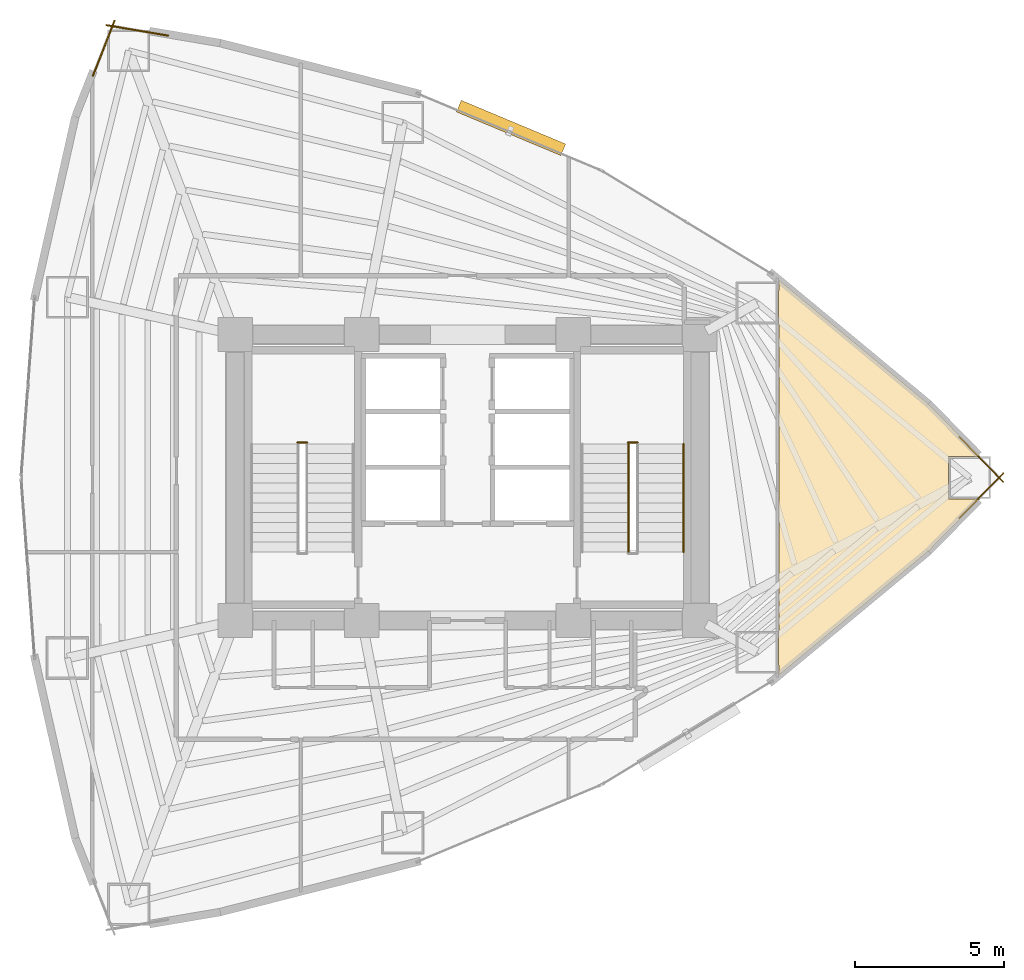
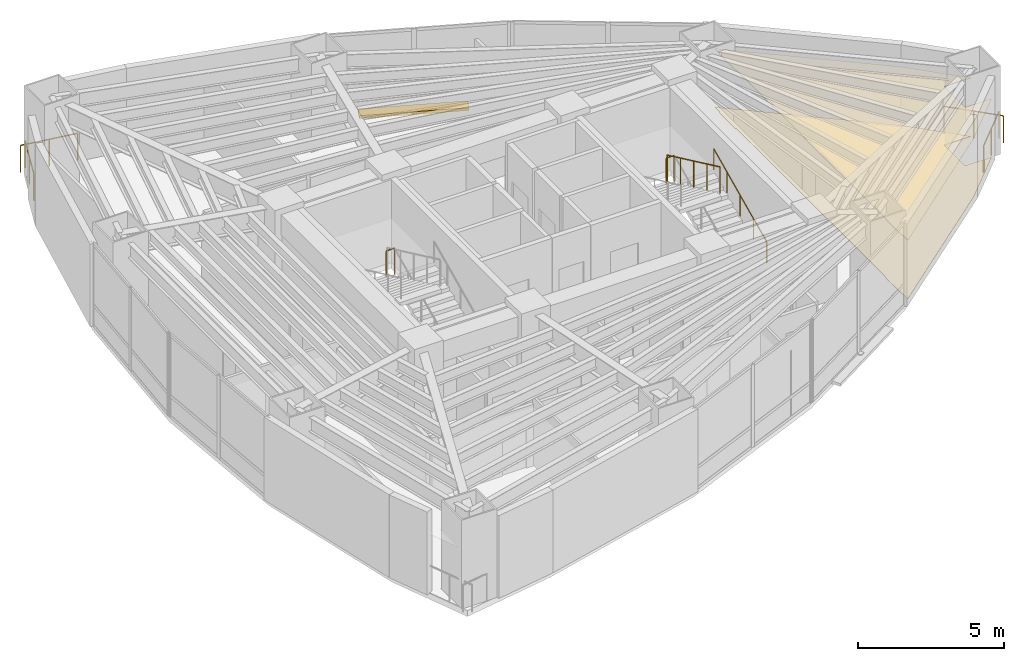
# One storey, part 17 of 17: 8 railings, 2 coverings, 1 shading device.
"""IFC4 building model written with IfcOpenShell, lengths in metres."""

from ifc_helpers import new_model, si_unit, direction, frame, origin, origin_2d, place, context, subcontext, project, spatial, polyline, rectangle, circle, outline, extrude, material, layer, layer_set, type_object, element, save


model = new_model("IFC4")

# Units and contexts
model_context = context("Model", 3, precision=1e-05, world=origin(), true_north=direction((0.0, 1.0)))
body_context = subcontext(model_context, "Body", "Model", "MODEL_VIEW")
ifc_project = project(units=[si_unit("LENGTHUNIT", "METRE"), si_unit("AREAUNIT", "SQUARE_METRE"), si_unit("VOLUMEUNIT", "CUBIC_METRE"), si_unit("PLANEANGLEUNIT", "RADIAN"), si_unit("MASSUNIT", "GRAM", prefix="KILO")], contexts=[model_context])

# Site, building, storey
site_placement = place(None, origin())
site = spatial("IfcSite", under=ifc_project, at=site_placement, CompositionType="ELEMENT")
building_placement = place(site_placement, origin())
building = spatial("IfcBuilding", under=site, at=building_placement, Name="Menara Vayukalpa", CompositionType="ELEMENT")
storey_placement = place(building_placement, frame((0.0, 0.0, 49.919921875)))
storey = spatial("IfcBuildingStorey", under=building, at=storey_placement, Name="L11", CompositionType="ELEMENT", Elevation=49.919921875)

# Coverings
ifc_material_1 = material(Name="Mineral Fibre Acoustic Ceiling Tile", Category="masonry")
ifc_layer_1 = layer(ifc_material_1, 0.02490234375)
ifc_layer_set_1 = layer_set([ifc_layer_1], Name="Mineral Fibre Acoustic Ceiling Tile")
covering_type_1 = type_object("IfcCoveringType", Name="COV-CLG1", PredefinedType="CEILING", material=ifc_layer_set_1)
covering_1_placement = place(storey_placement, frame((0.0, 0.0, 2.4501953125)))
element("IfcCovering", 1, at=covering_1_placement, inside=storey, type_object=covering_type_1, Name="L11 Corporate Training Classroom Acoustic Ceiling", PredefinedType="CEILING", context=body_context, shape_type="SweptSolid", body=[
    extrude(outline(polyline([(36.06005859375, 27.14990234375), (36.032958984375, 27.14990234375), (36.032958984375, 28.30078125), (36.06005859375, 28.2783203125), (36.06005859375, 28.60791015625), (36.06005859375, 28.60888671875), (36.060302734375, 28.60986328125), (36.060302734375, 28.610595703125), (36.060791015625, 28.611572265625), (36.061279296875, 28.612548828125), (36.061767578125, 28.61328125), (36.062255859375, 28.6142578125), (36.06298828125, 28.614990234375), (36.063720703125, 28.615478515625), (36.064453125, 28.6162109375), (36.065185546875, 28.61669921875), (36.066162109375, 28.616943359375), (36.067138671875, 28.617431640625), (36.068115234375, 28.61767578125), (36.069091796875, 28.617919921875), (36.070068359375, 28.617919921875), (36.071044921875, 28.61767578125), (36.072021484375, 28.61767578125), (36.072998046875, 28.617431640625), (36.073974609375, 28.616943359375), (36.07470703125, 28.61669921875), (36.07568359375, 28.6162109375), (36.076416015625, 28.615478515625), (41.07763671875, 24.468017578125), (41.078369140625, 24.46728515625), (42.798828125, 22.715087890625), (41.749755859375, 22.715087890625), (41.749755859375, 21.284912109375), (42.798828125, 21.284912109375), (41.078369140625, 19.53271484375), (41.07763671875, 19.531982421875), (36.076416015625, 15.384521484375), (36.07568359375, 15.3837890625), (36.07470703125, 15.38330078125), (36.073974609375, 15.383056640625), (36.072998046875, 15.382568359375), (36.072021484375, 15.38232421875), (36.071044921875, 15.38232421875), (36.070068359375, 15.382080078125), (36.069091796875, 15.382080078125), (36.068115234375, 15.38232421875), (36.067138671875, 15.382568359375), (36.066162109375, 15.383056640625), (36.065185546875, 15.38330078125), (36.064453125, 15.3837890625), (36.063720703125, 15.384521484375), (36.06298828125, 15.385009765625), (36.062255859375, 15.3857421875), (36.061767578125, 15.38671875), (36.061279296875, 15.387451171875), (36.060791015625, 15.388427734375), (36.060302734375, 15.389404296875), (36.060302734375, 15.39013671875), (36.06005859375, 15.39111328125), (36.06005859375, 15.39208984375), (36.06005859375, 15.7216796875), (36.032958984375, 15.69921875), (36.032958984375, 16.85009765625), (36.06005859375, 16.85009765625), (36.06005859375, 27.14990234375)])), origin(), (0.0, 0.0, 1.0), 0.02490234375),
])
ifc_material_2 = material(Name="Porcelain Stoneware Floor Tile", Category="masonry")
ifc_layer_2 = layer(ifc_material_2, 0.02001953125)
ifc_layer_set_2 = layer_set([ifc_layer_2], Name="Porcelain Stoneware Floor Tile")
covering_type_2 = type_object("IfcCoveringType", Name="COV-FLR1", PredefinedType="FLOORING", material=ifc_layer_set_2)
covering_2_placement = place(storey_placement, origin())
element("IfcCovering", 2, at=covering_2_placement, inside=storey, type_object=covering_type_2, Name="L11 Corporate Training Classroom Porcelain Flooring", PredefinedType="FLOORING", context=body_context, shape_type="SweptSolid", body=[
    extrude(outline(polyline([(36.06005859375, 27.14990234375), (36.032958984375, 27.14990234375), (36.032958984375, 28.30078125), (36.06005859375, 28.2783203125), (36.06005859375, 28.60791015625), (36.06005859375, 28.60888671875), (36.060302734375, 28.60986328125), (36.060302734375, 28.610595703125), (36.060791015625, 28.611572265625), (36.061279296875, 28.612548828125), (36.061767578125, 28.61328125), (36.062255859375, 28.6142578125), (36.06298828125, 28.614990234375), (36.063720703125, 28.615478515625), (36.064453125, 28.6162109375), (36.065185546875, 28.61669921875), (36.066162109375, 28.616943359375), (36.067138671875, 28.617431640625), (36.068115234375, 28.61767578125), (36.069091796875, 28.617919921875), (36.070068359375, 28.617919921875), (36.071044921875, 28.61767578125), (36.072021484375, 28.61767578125), (36.072998046875, 28.617431640625), (36.073974609375, 28.616943359375), (36.07470703125, 28.61669921875), (36.07568359375, 28.6162109375), (36.076416015625, 28.615478515625), (41.07763671875, 24.468017578125), (41.078369140625, 24.46728515625), (42.798828125, 22.715087890625), (41.749755859375, 22.715087890625), (41.749755859375, 21.284912109375), (42.798828125, 21.284912109375), (41.078369140625, 19.53271484375), (41.07763671875, 19.531982421875), (36.076416015625, 15.384521484375), (36.07568359375, 15.3837890625), (36.07470703125, 15.38330078125), (36.073974609375, 15.383056640625), (36.072998046875, 15.382568359375), (36.072021484375, 15.38232421875), (36.071044921875, 15.38232421875), (36.070068359375, 15.382080078125), (36.069091796875, 15.382080078125), (36.068115234375, 15.38232421875), (36.067138671875, 15.382568359375), (36.066162109375, 15.383056640625), (36.065185546875, 15.38330078125), (36.064453125, 15.3837890625), (36.063720703125, 15.384521484375), (36.06298828125, 15.385009765625), (36.062255859375, 15.3857421875), (36.061767578125, 15.38671875), (36.061279296875, 15.387451171875), (36.060791015625, 15.388427734375), (36.060302734375, 15.389404296875), (36.060302734375, 15.39013671875), (36.06005859375, 15.39111328125), (36.06005859375, 15.39208984375), (36.06005859375, 15.7216796875), (36.032958984375, 15.69921875), (36.032958984375, 16.85009765625), (36.06005859375, 16.85009765625), (36.06005859375, 27.14990234375)])), origin(), (0.0, 0.0, 1.0), 0.02001953125),
])

# Railings
ifc_material_3 = material(Name="Laminated Glass and Stainless Steel 316 Guardrail", Category="steel")
railing_type_1 = type_object("IfcRailingType", Name="RLG-EXT115", PredefinedType="GUARDRAIL", material=ifc_material_3)
railing_1_placement = place(storey_placement, frame((42.10888671875, 20.6396484375, 0.0)))
element("IfcRailing", 3, at=railing_1_placement, inside=storey, type_object=railing_type_1, Name="L11 Column Corner Spandrel Guardrail 01-1", PredefinedType="GUARDRAIL", context=body_context, shape_type="SweptSolid", body=[
    extrude(circle(Radius=0.02392578125, at=origin_2d()), frame((0.0, 0.0, 1.1259765625), z_axis=(0.700673401428, 0.713482154319, 0.0), x_axis=(-0.713482154319, 0.700673401428, 0.0)), (0.0, 0.0, 1.0), 2.11572265625),
    extrude(circle(Radius=0.02099609375, at=origin_2d()), origin(), (0.0, 0.0, 1.0), 1.101806640625),
    extrude(circle(Radius=0.02099609375, at=origin_2d()), frame((0.7412109375, 0.7548828125, 0.0)), (0.0, 0.0, 1.0), 1.101806640625),
    extrude(circle(Radius=0.02099609375, at=origin_2d()), frame((1.482421875, 1.509521484375, 0.0)), (0.0, 0.0, 1.0), 1.101806640625),
])
railing_2_placement = place(storey_placement, frame((43.59130859375, 21.850830078125, 0.0)))
element("IfcRailing", 4, at=railing_2_placement, inside=storey, type_object=railing_type_1, Name="L11 Column Corner Spandrel Guardrail 02-1", PredefinedType="GUARDRAIL", context=body_context, shape_type="SweptSolid", body=[
    extrude(circle(Radius=0.02392578125, at=origin_2d()), frame((0.0, 0.0, 1.1259765625), z_axis=(-0.700673401428, 0.713482154319, 0.0), x_axis=(-0.713482154319, -0.700673401428, 0.0)), (0.0, 0.0, 1.0), 2.11572265625),
    extrude(circle(Radius=0.02099609375, at=origin_2d()), origin(), (0.0, 0.0, 1.0), 1.101806640625),
    extrude(circle(Radius=0.02099609375, at=origin_2d()), frame((-0.7412109375, 0.7548828125, 0.0)), (0.0, 0.0, 1.0), 1.101806640625),
    extrude(circle(Radius=0.02099609375, at=origin_2d()), frame((-1.482421875, 1.509521484375, 0.0)), (0.0, 0.0, 1.0), 1.101806640625),
])
railing_3_placement = place(storey_placement, frame((15.541015625, 36.840087890625, 0.0)))
element("IfcRailing", 5, at=railing_3_placement, inside=storey, type_object=railing_type_1, Name="L11 Column Corner Spandrel Guardrail 07-1", PredefinedType="GUARDRAIL", context=body_context, shape_type="SweptSolid", body=[
    extrude(circle(Radius=0.02392578125, at=origin_2d()), frame((0.0, 0.0, 1.1259765625), z_axis=(-0.985904350491, 0.167309927029, 0.0), x_axis=(-0.167309927029, -0.985904350491, 0.0)), (0.0, 0.0, 1.0), 2.093994140625),
    extrude(circle(Radius=0.02099609375, at=origin_2d()), origin(), (0.0, 0.0, 1.0), 1.101806640625),
    extrude(circle(Radius=0.02099609375, at=origin_2d()), frame((-1.0322265625, 0.17529296875, 0.0)), (0.0, 0.0, 1.0), 1.101806640625),
    extrude(circle(Radius=0.02099609375, at=origin_2d()), frame((-2.064453125, 0.350341796875, 0.0)), (0.0, 0.0, 1.0), 1.101806640625),
])
railing_4_placement = place(storey_placement, frame((13.74755859375, 37.343505859375, 0.0)))
element("IfcRailing", 6, at=railing_4_placement, inside=storey, type_object=railing_type_1, Name="L11 Column Corner Spandrel Guardrail 08-1", PredefinedType="GUARDRAIL", context=body_context, shape_type="SweptSolid", body=[
    extrude(circle(Radius=0.02392578125, at=origin_2d()), frame((0.0, 0.0, 1.1259765625), z_axis=(-0.365580158762, -0.930779859859, 0.0), x_axis=(0.930779859859, -0.365580158762, 0.0)), (0.0, 0.0, 1.0), 1.9873046875),
    extrude(circle(Radius=0.02099609375, at=origin_2d()), origin(), (0.0, 0.0, 1.0), 1.101806640625),
    extrude(circle(Radius=0.02099609375, at=origin_2d()), frame((-0.36328125, -0.9248046875, 0.0)), (0.0, 0.0, 1.0), 1.101806640625),
    extrude(circle(Radius=0.02099609375, at=origin_2d()), frame((-0.7265625, -1.849853515625, 0.0)), (0.0, 0.0, 1.0), 1.101806640625),
])
ifc_material_4 = material(Name="Powder-Coated Galvanised Steel Guardrail", Category="steel")
railing_type_2 = type_object("IfcRailingType", Name="RLG-STG110", PredefinedType="GUARDRAIL", material=ifc_material_4)
for number, where, name in (
    (7, (20.2099609375, 23.179931640625, 1.860107421875), "L11 ST-1 stair guard 2"),
    (8, (31.31005859375, 23.179931640625, 1.860107421875), "L11 ST-2 stair guard 2"),
):
    element("IfcRailing", number, at=place(storey_placement, frame(where)), inside=storey, type_object=railing_type_2, Name=name, PredefinedType="GUARDRAIL", context=body_context, shape_type="SweptSolid", body=[
        extrude(circle(Radius=0.02392578125, at=origin_2d()), frame((0.0, 0.0, 1.09619140625), z_axis=(-1.0, 0.0, 0.0), x_axis=(0.0, -1.0, 0.0)), (0.0, 0.0, 1.0), 0.320068359375),
        extrude(circle(Radius=0.02099609375, at=origin_2d()), origin(), (0.0, 0.0, 1.0), 1.072021484375),
        extrude(circle(Radius=0.02099609375, at=origin_2d()), frame((-0.320068359375, 0.0, 0.0)), (0.0, 0.0, 1.0), 1.072021484375),
    ])
railing_5_placement = place(storey_placement, frame((31.0, 23.1298828125, 2.01513671875)))
element("IfcRailing", 9, at=railing_5_placement, inside=storey, type_object=railing_type_2, Name="L11 ST-2 stair guard 3", PredefinedType="GUARDRAIL", context=body_context, shape_type="SweptSolid", body=[
    extrude(circle(Radius=0.02392578125, at=origin_2d()), frame((0.0, 0.0, 1.09619140625), z_axis=(0.0, -0.90513990983, 0.425113800803), x_axis=(1.0, 0.0, 0.0)), (0.0, 0.0, 1.0), 4.01025390625),
    extrude(circle(Radius=0.02099609375, at=origin_2d()), origin(), (0.0, 0.0, 1.0), 1.072021484375),
    extrude(circle(Radius=0.02099609375, at=origin_2d()), frame((0.0, -0.907470703125, 0.42626953125)), (0.0, 0.0, 1.0), 1.072021484375),
    extrude(circle(Radius=0.02099609375, at=origin_2d()), frame((0.0, -1.81494140625, 0.8525390625)), (0.0, 0.0, 1.0), 1.072021484375),
    extrude(circle(Radius=0.02099609375, at=origin_2d()), frame((0.0, -2.722412109375, 1.278564453125)), (0.0, 0.0, 1.0), 1.072021484375),
    extrude(circle(Radius=0.02099609375, at=origin_2d()), frame((0.0, -3.6298828125, 1.704833984375)), (0.0, 0.0, 1.0), 1.072021484375),
])
ifc_material_5 = material(Name="Stainless Steel 316 Tubular Handrail", Category="steel")
railing_type_3 = type_object("IfcRailingType", Name="RLG-STH090", PredefinedType="HANDRAIL", material=ifc_material_5)
railing_6_placement = place(storey_placement, frame((32.85009765625, 19.5, 0.155029296875)))
element("IfcRailing", 10, at=railing_6_placement, inside=storey, type_object=railing_type_3, Name="L11 ST-2 stair handrail 1", PredefinedType="HANDRAIL", context=body_context, shape_type="SweptSolid", body=[
    extrude(circle(Radius=0.02392578125, at=origin_2d()), frame((0.0, 0.0, 0.8759765625), z_axis=(0.0, 0.90511648382, 0.425163675209), x_axis=(-1.0, 0.0, 0.0)), (0.0, 0.0, 1.0), 4.010498046875),
    extrude(circle(Radius=0.02099609375, at=origin_2d()), origin(), (0.0, 0.0, 1.0), 0.851806640625),
    extrude(circle(Radius=0.02099609375, at=origin_2d()), frame((0.0, 0.907470703125, 0.42626953125)), (0.0, 0.0, 1.0), 0.851806640625),
    extrude(circle(Radius=0.02099609375, at=origin_2d()), frame((0.0, 1.81494140625, 0.8525390625)), (0.0, 0.0, 1.0), 0.851806640625),
    extrude(circle(Radius=0.02099609375, at=origin_2d()), frame((0.0, 2.722412109375, 1.27880859375)), (0.0, 0.0, 1.0), 0.851806640625),
    extrude(circle(Radius=0.02099609375, at=origin_2d()), frame((0.0, 3.6298828125, 1.705078125)), (0.0, 0.0, 1.0), 0.851806640625),
])

# Shading device
ifc_material_6 = material(Name="Glazed Terracotta Ceramic Baguette Extrusion", Category="masonry")
ifc_layer_3 = layer(ifc_material_6, 0.1201171875)
ifc_layer_set_3 = layer_set([ifc_layer_3], Name="Glazed Terracotta Ceramic Baguette Extrusion")
shading_device_type = type_object("IfcShadingDeviceType", Name="SHD-SS1", PredefinedType="USERDEFINED", material=ifc_layer_set_3)
shading_device_placement = place(storey_placement, frame((27.060791015625, 33.740478515625, -0.10009765625), z_axis=(0.0, 0.0, 1.0), x_axis=(-0.922544824647, 0.385889940938, 0.0)))
element("IfcShadingDevice", 11, at=shading_device_placement, inside=storey, type_object=shading_device_type, Name="L11 Horizontal Terracotta Sunshade Band 05", ObjectType="SUNSHADE", PredefinedType="USERDEFINED", context=body_context, shape_type="SweptSolid", body=[
    extrude(rectangle(XDim=3.800048828125, YDim=0.419921875, at=origin_2d()), origin(), (0.0, 0.0, 1.0), 0.1201171875),
])

save(model, "model.ifc")
